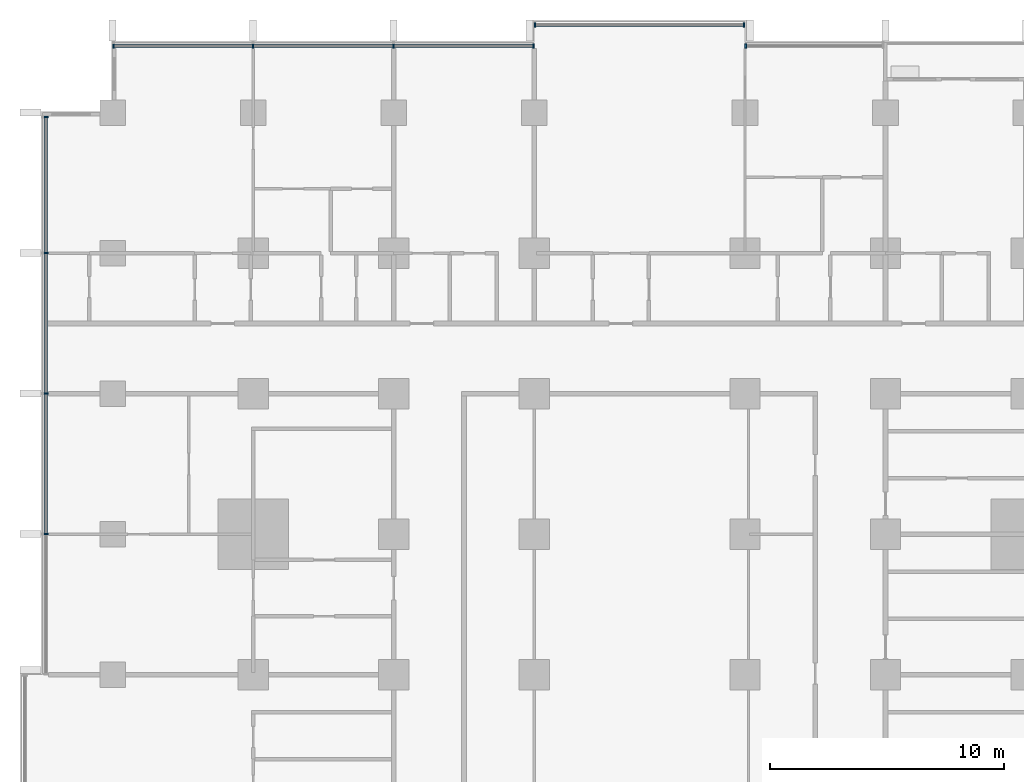
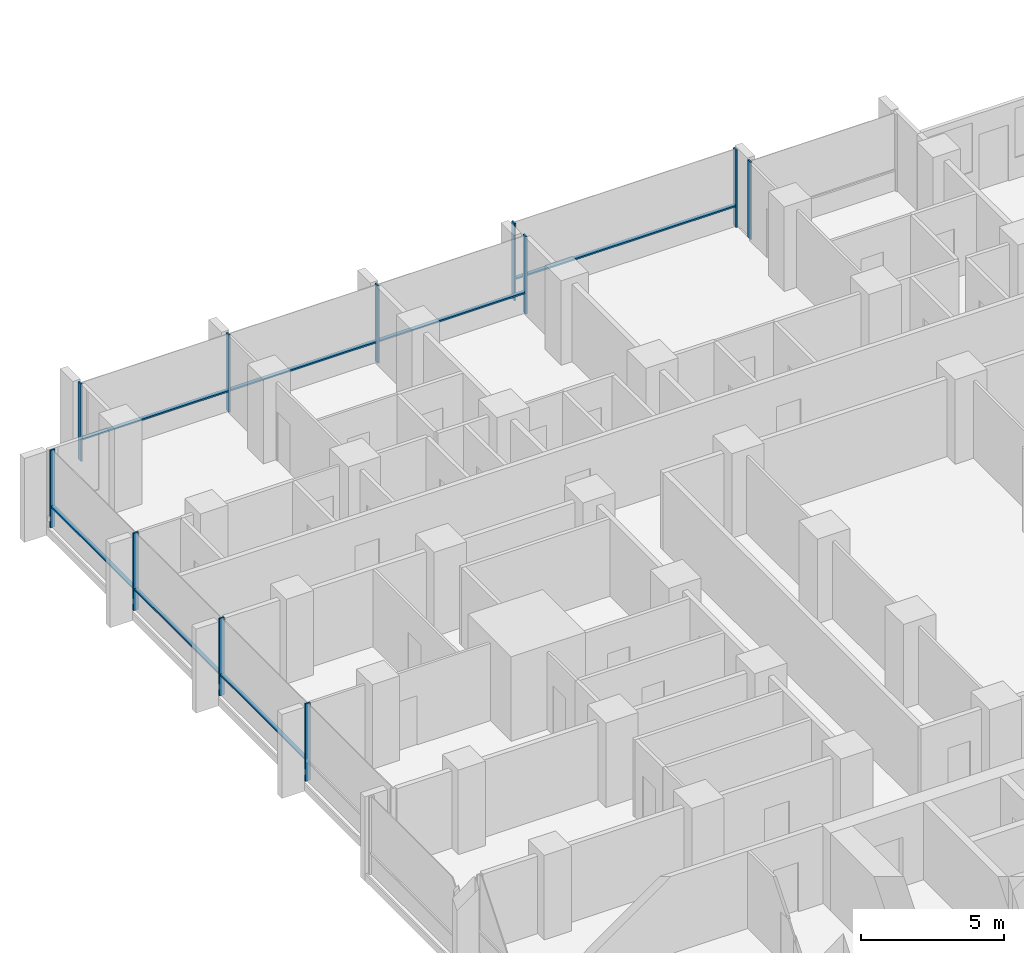
# One storey, part 4 of 18: 18 members, 4 elements without a shape of their own.
"""IFC4 building model written with IfcOpenShell, lengths in metres."""

from ifc_helpers import new_model, si_unit, direction, frame, origin, origin_2d, place, context, subcontext, project, spatial, rectangle, extrude, material, material_profile, profile_set, type_object, element, aggregate, save


model = new_model("IFC4")

# Units and contexts
model_context = context("Model", 3, precision=1e-05, world=origin(), true_north=direction((0.0, 1.0)))
body_context = subcontext(model_context, "Body", "Model", "MODEL_VIEW")
ifc_project = project(units=[si_unit("LENGTHUNIT", "METRE"), si_unit("AREAUNIT", "SQUARE_METRE"), si_unit("VOLUMEUNIT", "CUBIC_METRE"), si_unit("PLANEANGLEUNIT", "RADIAN"), si_unit("MASSUNIT", "GRAM", prefix="KILO")], contexts=[model_context])

# Site, building, storey
site_placement = place(None, origin())
site = spatial("IfcSite", under=ifc_project, at=site_placement, CompositionType="ELEMENT")
building_placement = place(site_placement, origin())
building = spatial("IfcBuilding", under=site, at=building_placement, Name="Finial Court Residences", CompositionType="ELEMENT")
storey_placement = place(building_placement, frame((0.0, 0.0, 57.699951171875)))
storey = spatial("IfcBuildingStorey", under=building, at=storey_placement, Name="L13", CompositionType="ELEMENT", Elevation=57.699951171875)

# Curtain wall, members
ifc_material = material(Name="Bronze anodised aluminium", Category="aluminium")
curtain_wall_type = type_object("IfcCurtainWallType", Name="Unitised curtain wall, lower and middle zones", PredefinedType="NOTDEFINED", material=ifc_material)
curtain_wall_1_placement = place(storey_placement, origin())
curtain_wall_1 = element("IfcCurtainWall", 1, at=curtain_wall_1_placement, inside=storey, type_object=curtain_wall_type, Name="E-L13-CW-N1", PredefinedType="NOTDEFINED")
ifc_material_profile_1 = material_profile(ifc_material, rectangle(XDim=0.199951171875, YDim=0.06494140625, at=origin_2d()), Name="CW1 mullion 65 x 200")
ifc_profile_set_1 = profile_set([ifc_material_profile_1], Name="Bronze anodised aluminium")
member_type_1 = type_object("IfcMemberType", Name="CW1 mullion 65 x 200", PredefinedType="MULLION", material=ifc_profile_set_1)
member_1_placement = place(storey_placement, frame((-22.467529296875, 28.35009765625, 0.0), z_axis=(0.0, 0.0, 1.0), x_axis=(0.0, 1.0, 0.0)))
member_1 = element("IfcMember", 2, at=member_1_placement, type_object=member_type_1, Name="CW1 mullion 1", PredefinedType="MULLION", context=body_context, shape_type="SweptSolid", body=[
    extrude(rectangle(XDim=0.199951171875, YDim=0.06494140625, at=origin_2d()), origin(), (0.0, 0.0, 1.0), 3.300048828125),
])
member_2_placement = place(storey_placement, frame((-16.5, 28.35009765625, 0.0), z_axis=(0.0, 0.0, 1.0), x_axis=(0.0, 1.0, 0.0)))
member_2 = element("IfcMember", 3, at=member_2_placement, type_object=member_type_1, Name="CW1 mullion 2", PredefinedType="MULLION", context=body_context, shape_type="SweptSolid", body=[
    extrude(rectangle(XDim=0.199951171875, YDim=0.06494140625, at=origin_2d()), origin(), (0.0, 0.0, 1.0), 3.300048828125),
])
member_3_placement = place(storey_placement, frame((-10.5, 28.35009765625, 0.0), z_axis=(0.0, 0.0, 1.0), x_axis=(0.0, 1.0, 0.0)))
member_3 = element("IfcMember", 4, at=member_3_placement, type_object=member_type_1, Name="CW1 mullion 3", PredefinedType="MULLION", context=body_context, shape_type="SweptSolid", body=[
    extrude(rectangle(XDim=0.199951171875, YDim=0.06494140625, at=origin_2d()), origin(), (0.0, 0.0, 1.0), 3.300048828125),
])
member_4_placement = place(storey_placement, frame((-4.532470703125, 28.35009765625, 0.0), z_axis=(0.0, 0.0, 1.0), x_axis=(0.0, 1.0, 0.0)))
member_4 = element("IfcMember", 5, at=member_4_placement, type_object=member_type_1, Name="CW1 mullion 4", PredefinedType="MULLION", context=body_context, shape_type="SweptSolid", body=[
    extrude(rectangle(XDim=0.199951171875, YDim=0.06494140625, at=origin_2d()), origin(), (0.0, 0.0, 1.0), 3.300048828125),
])

curtain_wall_2_placement = place(storey_placement, origin())
curtain_wall_2 = element("IfcCurtainWall", 6, at=curtain_wall_2_placement, inside=storey, type_object=curtain_wall_type, Name="E-L13-CW-N2", PredefinedType="NOTDEFINED")
member_5_placement = place(storey_placement, frame((-4.467529296875, 29.25, 0.0), z_axis=(0.0, 0.0, 1.0), x_axis=(0.0, 1.0, 0.0)))
member_5 = element("IfcMember", 7, at=member_5_placement, type_object=member_type_1, Name="CW1 mullion 1", PredefinedType="MULLION", context=body_context, shape_type="SweptSolid", body=[
    extrude(rectangle(XDim=0.199951171875, YDim=0.06494140625, at=origin_2d()), origin(), (0.0, 0.0, 1.0), 3.300048828125),
])
member_6_placement = place(storey_placement, frame((4.467529296875, 29.25, 0.0), z_axis=(0.0, 0.0, 1.0), x_axis=(0.0, 1.0, 0.0)))
member_6 = element("IfcMember", 8, at=member_6_placement, type_object=member_type_1, Name="CW1 mullion 2", PredefinedType="MULLION", context=body_context, shape_type="SweptSolid", body=[
    extrude(rectangle(XDim=0.199951171875, YDim=0.06494140625, at=origin_2d()), origin(), (0.0, 0.0, 1.0), 3.300048828125),
])

# Curtain wall, member
curtain_wall_3_placement = place(storey_placement, origin())
curtain_wall_3 = element("IfcCurtainWall", 9, at=curtain_wall_3_placement, inside=storey, type_object=curtain_wall_type, Name="E-L13-CW-N3", PredefinedType="NOTDEFINED")
member_7_placement = place(storey_placement, frame((4.532470703125, 28.35009765625, 0.0), z_axis=(0.0, 0.0, 1.0), x_axis=(0.0, 1.0, 0.0)))
member_7 = element("IfcMember", 10, at=member_7_placement, type_object=member_type_1, Name="CW1 mullion 1", PredefinedType="MULLION", context=body_context, shape_type="SweptSolid", body=[
    extrude(rectangle(XDim=0.199951171875, YDim=0.06494140625, at=origin_2d()), origin(), (0.0, 0.0, 1.0), 3.300048828125),
])
aggregate(curtain_wall_3, [member_7])

# Curtain wall, members
curtain_wall_4_placement = place(storey_placement, origin())
curtain_wall_4 = element("IfcCurtainWall", 11, at=curtain_wall_4_placement, inside=storey, type_object=curtain_wall_type, Name="E-L13-CW-W12", PredefinedType="NOTDEFINED")
member_8_placement = place(storey_placement, frame((-25.35009765625, 7.5, 0.0), z_axis=(0.0, 0.0, 1.0), x_axis=(-1.0, 0.0, 0.0)))
member_8 = element("IfcMember", 12, at=member_8_placement, type_object=member_type_1, Name="CW1 mullion 2", PredefinedType="MULLION", context=body_context, shape_type="SweptSolid", body=[
    extrude(rectangle(XDim=0.199951171875, YDim=0.06494140625, at=origin_2d()), origin(), (0.0, 0.0, 1.0), 3.300048828125),
])
member_9_placement = place(storey_placement, frame((-25.35009765625, 13.5, 0.0), z_axis=(0.0, 0.0, 1.0), x_axis=(-1.0, 0.0, 0.0)))
member_9 = element("IfcMember", 13, at=member_9_placement, type_object=member_type_1, Name="CW1 mullion 3", PredefinedType="MULLION", context=body_context, shape_type="SweptSolid", body=[
    extrude(rectangle(XDim=0.199951171875, YDim=0.06494140625, at=origin_2d()), origin(), (0.0, 0.0, 1.0), 3.300048828125),
])
member_10_placement = place(storey_placement, frame((-25.35009765625, 19.5, 0.0), z_axis=(0.0, 0.0, 1.0), x_axis=(-1.0, 0.0, 0.0)))
member_10 = element("IfcMember", 14, at=member_10_placement, type_object=member_type_1, Name="CW1 mullion 4", PredefinedType="MULLION", context=body_context, shape_type="SweptSolid", body=[
    extrude(rectangle(XDim=0.199951171875, YDim=0.06494140625, at=origin_2d()), origin(), (0.0, 0.0, 1.0), 3.300048828125),
])
member_11_placement = place(storey_placement, frame((-25.35009765625, 25.3173828125, 0.0), z_axis=(0.0, 0.0, 1.0), x_axis=(-1.0, 0.0, 0.0)))
member_11 = element("IfcMember", 15, at=member_11_placement, type_object=member_type_1, Name="CW1 mullion 5", PredefinedType="MULLION", context=body_context, shape_type="SweptSolid", body=[
    extrude(rectangle(XDim=0.199951171875, YDim=0.06494140625, at=origin_2d()), origin(), (0.0, 0.0, 1.0), 3.300048828125),
])

# Member
ifc_material_profile_2 = material_profile(ifc_material, rectangle(XDim=0.14990234375, YDim=0.06494140625, at=origin_2d()), Name="CW1 transom 65 x 150")
ifc_profile_set_2 = profile_set([ifc_material_profile_2], Name="Bronze anodised aluminium")
member_type_2 = type_object("IfcMemberType", Name="CW1 transom 65 x 150", PredefinedType="USERDEFINED", material=ifc_profile_set_2)
member_12_placement = place(storey_placement, frame((-22.43505859375, 28.35009765625, 0.900146484375), z_axis=(1.0, 0.0, 0.0), x_axis=(0.0, 1.0, 0.0)))
member_12 = element("IfcMember", 16, at=member_12_placement, type_object=member_type_2, Name="CW1 transom 1.1", ObjectType="TRANSOM", PredefinedType="USERDEFINED", context=body_context, shape_type="SweptSolid", body=[
    extrude(rectangle(XDim=0.14990234375, YDim=0.06494140625, at=origin_2d()), origin(), (0.0, 0.0, 1.0), 5.902587890625),
])

member_13_placement = place(storey_placement, frame((-16.467529296875, 28.35009765625, 0.900146484375), z_axis=(1.0, 0.0, 0.0), x_axis=(0.0, 1.0, 0.0)))
member_13 = element("IfcMember", 17, at=member_13_placement, type_object=member_type_2, Name="CW1 transom 2.1", ObjectType="TRANSOM", PredefinedType="USERDEFINED", context=body_context, shape_type="SweptSolid", body=[
    extrude(rectangle(XDim=0.14990234375, YDim=0.06494140625, at=origin_2d()), origin(), (0.0, 0.0, 1.0), 5.93505859375),
])

member_14_placement = place(storey_placement, frame((-10.467529296875, 28.35009765625, 0.900146484375), z_axis=(1.0, 0.0, 0.0), x_axis=(0.0, 1.0, 0.0)))
member_14 = element("IfcMember", 18, at=member_14_placement, type_object=member_type_2, Name="CW1 transom 3.1", ObjectType="TRANSOM", PredefinedType="USERDEFINED", context=body_context, shape_type="SweptSolid", body=[
    extrude(rectangle(XDim=0.14990234375, YDim=0.06494140625, at=origin_2d()), origin(), (0.0, 0.0, 1.0), 5.902587890625),
])

aggregate(curtain_wall_1, [member_1, member_2, member_3, member_4, member_12, member_13, member_14])

member_15_placement = place(storey_placement, frame((-4.43505859375, 29.25, 0.900146484375), z_axis=(1.0, 0.0, 0.0), x_axis=(0.0, 1.0, 0.0)))
member_15 = element("IfcMember", 19, at=member_15_placement, type_object=member_type_2, Name="CW1 transom 1.1", ObjectType="TRANSOM", PredefinedType="USERDEFINED", context=body_context, shape_type="SweptSolid", body=[
    extrude(rectangle(XDim=0.14990234375, YDim=0.06494140625, at=origin_2d()), origin(), (0.0, 0.0, 1.0), 8.8701171875),
])

aggregate(curtain_wall_2, [member_5, member_6, member_15])

member_16_placement = place(storey_placement, frame((-25.35009765625, 7.532470703125, 0.900146484375), z_axis=(0.0, 1.0, 0.0), x_axis=(-1.0, 0.0, 0.0)))
member_16 = element("IfcMember", 20, at=member_16_placement, type_object=member_type_2, Name="CW1 transom 2.1", ObjectType="TRANSOM", PredefinedType="USERDEFINED", context=body_context, shape_type="SweptSolid", body=[
    extrude(rectangle(XDim=0.14990234375, YDim=0.06494140625, at=origin_2d()), origin(), (0.0, 0.0, 1.0), 5.93505859375),
])

member_17_placement = place(storey_placement, frame((-25.35009765625, 13.532470703125, 0.900146484375), z_axis=(0.0, 1.0, 0.0), x_axis=(-1.0, 0.0, 0.0)))
member_17 = element("IfcMember", 21, at=member_17_placement, type_object=member_type_2, Name="CW1 transom 3.1", ObjectType="TRANSOM", PredefinedType="USERDEFINED", context=body_context, shape_type="SweptSolid", body=[
    extrude(rectangle(XDim=0.14990234375, YDim=0.06494140625, at=origin_2d()), origin(), (0.0, 0.0, 1.0), 5.93505859375),
])

member_18_placement = place(storey_placement, frame((-25.35009765625, 19.532470703125, 0.900146484375), z_axis=(0.0, 1.0, 0.0), x_axis=(-1.0, 0.0, 0.0)))
member_18 = element("IfcMember", 22, at=member_18_placement, type_object=member_type_2, Name="CW1 transom 4.1", ObjectType="TRANSOM", PredefinedType="USERDEFINED", context=body_context, shape_type="SweptSolid", body=[
    extrude(rectangle(XDim=0.14990234375, YDim=0.06494140625, at=origin_2d()), origin(), (0.0, 0.0, 1.0), 5.75244140625),
])

aggregate(curtain_wall_4, [member_8, member_9, member_10, member_11, member_16, member_17, member_18])

save(model, "model.ifc")
